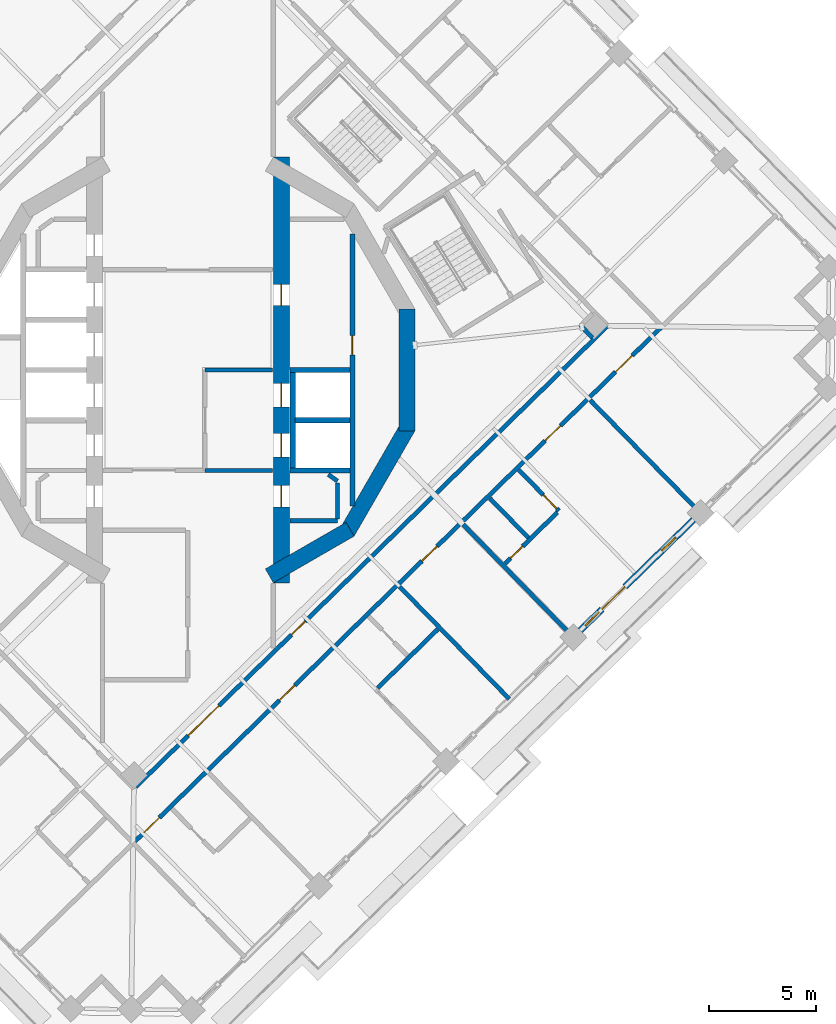
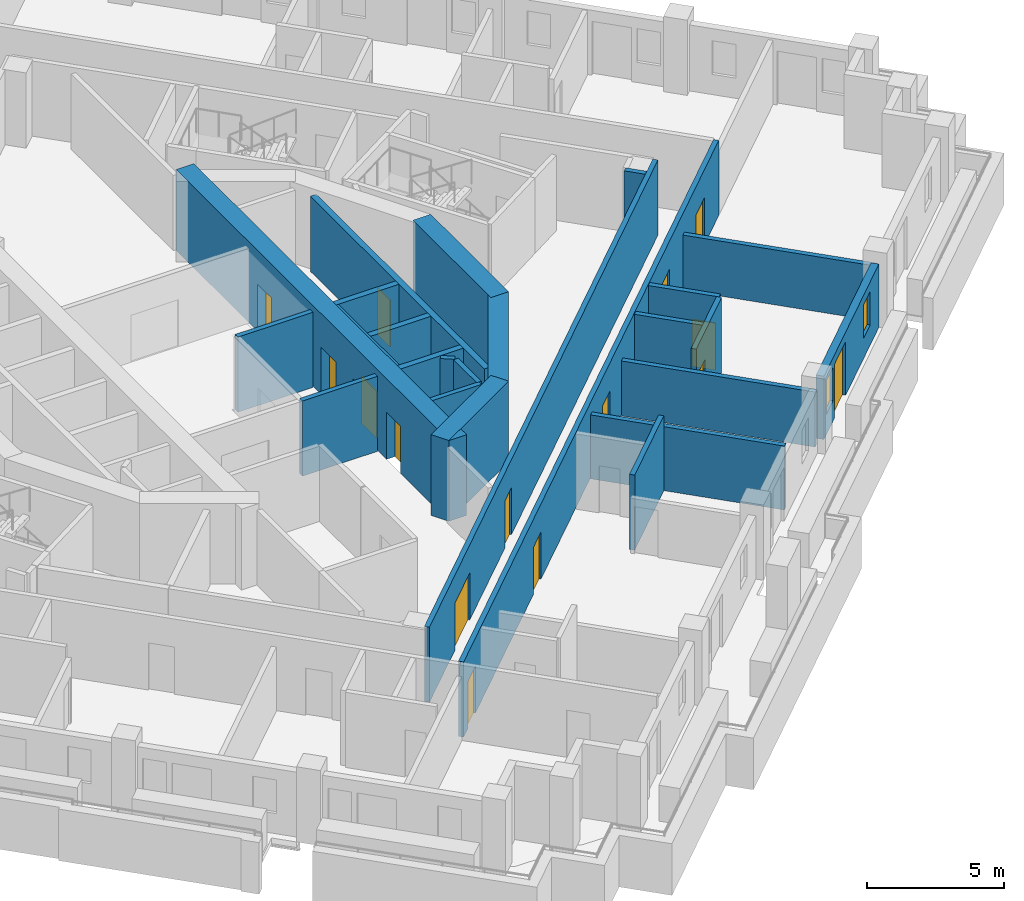
# One storey, part 7 of 19: 25 walls, 15 doors, 2 windows, 17 openings.
"""IFC4 building model written with IfcOpenShell, lengths in metres."""

from ifc_helpers import new_model, si_unit, direction, frame, frame_2d, origin, place, context, subcontext, project, spatial, rectangle, extrude, material, layer, layer_set, type_object, element, fill, save


model = new_model("IFC4")

# Units and contexts
model_context = context("Model", 3, precision=1e-05, world=origin(), true_north=direction((0.0, 1.0)))
body_context = subcontext(model_context, "Body", "Model", "MODEL_VIEW")
ifc_project = project(units=[si_unit("LENGTHUNIT", "METRE"), si_unit("AREAUNIT", "SQUARE_METRE"), si_unit("VOLUMEUNIT", "CUBIC_METRE"), si_unit("PLANEANGLEUNIT", "RADIAN"), si_unit("MASSUNIT", "GRAM", prefix="KILO")], contexts=[model_context])

# Site, building, storey
site_placement = place(None, origin())
site = spatial("IfcSite", under=ifc_project, at=site_placement, CompositionType="ELEMENT")
building_placement = place(site_placement, origin())
building = spatial("IfcBuilding", under=site, at=building_placement, Name="Cantera Rosa Tower", CompositionType="ELEMENT")
storey_placement = place(building_placement, frame((0.0, 0.0, 216.199951171875)))
storey = spatial("IfcBuildingStorey", under=building, at=storey_placement, Name="L46", CompositionType="ELEMENT", Elevation=216.199951171875)

# Wall, openings, doors
ifc_material_1 = material(Name="Gypsum board partition")
ifc_layer_1 = layer(ifc_material_1, 0.199951171875)
ifc_layer_set_1 = layer_set([ifc_layer_1], Name="CORRIDOR WALL 200 H3350")
wall_type_1 = type_object("IfcWallType", Name="CORRIDOR WALL 200 H3350", PredefinedType="PARTITIONING", material=ifc_layer_set_1)
wall_1_placement = place(storey_placement, frame((-2.469970703125, -22.0556640625, 0.0), z_axis=(0.0, 0.0, 1.0), x_axis=(0.715286619748, 0.698831203946, 0.0)))
wall_1 = element("IfcWall", 1, at=wall_1_placement, inside=storey, type_object=wall_type_1, Name="CORRIDOR WALL L46-058", PredefinedType="PARTITIONING", context=body_context, shape_type="SweptSolid", body=[
    extrude(rectangle(XDim=34.47998046875, YDim=0.199951171875, at=frame_2d((17.239990234375, 0.0))), origin(), (0.0, 0.0, 1.0), 3.35009765625),
])
opening_1_placement = place(wall_1_placement, frame((26.824951171875, 0.0, 0.0)))
opening_1 = element("IfcOpeningElement", 2, at=opening_1_placement, cuts=wall_1, Name="Opening L46-046", PredefinedType="OPENING", context=body_context, shape_type="SweptSolid", body=[
    extrude(rectangle(XDim=1.0, YDim=2.10009765625, at=frame_2d((0.5, 1.050048828125))), frame((0.0, 0.10986328125, 0.0), z_axis=(0.0, -1.0, 0.0), x_axis=(1.0, 0.0, 0.0)), (0.0, 0.0, 1.0), 0.219970703125),
])
opening_2_placement = place(wall_1_placement, frame((9.43994140625, 0.0, 0.0)))
opening_2 = element("IfcOpeningElement", 3, at=opening_2_placement, cuts=wall_1, Name="Opening L46-049", PredefinedType="OPENING", context=body_context, shape_type="SweptSolid", body=[
    extrude(rectangle(XDim=1.0, YDim=2.10009765625, at=frame_2d((0.5, 1.050048828125))), frame((0.0, 0.10986328125, 0.0), z_axis=(0.0, -1.0, 0.0), x_axis=(1.0, 0.0, 0.0)), (0.0, 0.0, 1.0), 0.219970703125),
])
opening_3_placement = place(wall_1_placement, frame((18.760009765625, 0.0, 0.0)))
opening_3 = element("IfcOpeningElement", 4, at=opening_3_placement, cuts=wall_1, Name="Opening L46-052", PredefinedType="OPENING", context=body_context, shape_type="SweptSolid", body=[
    extrude(rectangle(XDim=1.0, YDim=2.10009765625, at=frame_2d((0.5, 1.050048828125))), frame((0.0, 0.10986328125, 0.0), z_axis=(0.0, -1.0, 0.0), x_axis=(1.0, 0.0, 0.0)), (0.0, 0.0, 1.0), 0.219970703125),
])
opening_4_placement = place(wall_1_placement, frame((0.590087890625, 0.0, 0.0)))
opening_4 = element("IfcOpeningElement", 5, at=opening_4_placement, cuts=wall_1, Name="Opening L46-053", PredefinedType="OPENING", context=body_context, shape_type="SweptSolid", body=[
    extrude(rectangle(XDim=1.0, YDim=2.10009765625, at=frame_2d((0.5, 1.050048828125))), frame((0.0, 0.10986328125, 0.0), z_axis=(0.0, -1.0, 0.0), x_axis=(1.0, 0.0, 0.0)), (0.0, 0.0, 1.0), 0.219970703125),
])
opening_5_placement = place(wall_1_placement, frame((31.429931640625, 0.0, 0.0)))
opening_5 = element("IfcOpeningElement", 6, at=opening_5_placement, cuts=wall_1, Name="Opening L46-056", PredefinedType="OPENING", context=body_context, shape_type="SweptSolid", body=[
    extrude(rectangle(XDim=1.10009765625, YDim=2.10009765625, at=frame_2d((0.550048828125, 1.050048828125))), frame((0.0, 0.10986328125, 0.0), z_axis=(0.0, -1.0, 0.0), x_axis=(1.0, 0.0, 0.0)), (0.0, 0.0, 1.0), 0.219970703125),
])
ifc_material_2 = material(Name="Timber door leaf", Category="wood")
door_type_1 = type_object("IfcDoorType", Name="ENTRANCE DOOR 1000x2100", OperationType="NOTDEFINED", PredefinedType="DOOR", material=ifc_material_2)
door_1_placement = place(opening_1_placement, origin())
door_1 = element("IfcDoor", 7, at=door_1_placement, inside=storey, type_object=door_type_1, Name="DOOR L46-046", OperationType="NOTDEFINED", OverallHeight=2.10009765625, OverallWidth=1.0, PredefinedType="DOOR", context=body_context, shape_type="SweptSolid", body=[
    extrude(rectangle(XDim=1.0, YDim=2.10009765625, at=frame_2d((0.5, 1.050048828125))), frame((0.0, 0.02490234375, 0.0), z_axis=(0.0, -1.0, 0.0), x_axis=(1.0, 0.0, 0.0)), (0.0, 0.0, 1.0), 0.050048828125),
])
fill(opening_1, door_1)
door_2_placement = place(opening_2_placement, origin())
door_2 = element("IfcDoor", 8, at=door_2_placement, inside=storey, type_object=door_type_1, Name="DOOR L46-049", OperationType="NOTDEFINED", OverallHeight=2.10009765625, OverallWidth=1.0, PredefinedType="DOOR", context=body_context, shape_type="SweptSolid", body=[
    extrude(rectangle(XDim=1.0, YDim=2.10009765625, at=frame_2d((0.5, 1.050048828125))), frame((0.0, 0.02490234375, 0.0), z_axis=(0.0, -1.0, 0.0), x_axis=(1.0, 0.0, 0.0)), (0.0, 0.0, 1.0), 0.050048828125),
])
fill(opening_2, door_2)
door_3_placement = place(opening_4_placement, origin())
door_3 = element("IfcDoor", 9, at=door_3_placement, inside=storey, type_object=door_type_1, Name="DOOR L46-053", OperationType="NOTDEFINED", OverallHeight=2.10009765625, OverallWidth=1.0, PredefinedType="DOOR", context=body_context, shape_type="SweptSolid", body=[
    extrude(rectangle(XDim=1.0, YDim=2.10009765625, at=frame_2d((0.5, 1.050048828125))), frame((0.0, 0.02490234375, 0.0), z_axis=(0.0, -1.0, 0.0), x_axis=(1.0, 0.0, 0.0)), (0.0, 0.0, 1.0), 0.050048828125),
])
fill(opening_4, door_3)
ifc_material_3 = material(Name="Timber door leaf", Category="wood")
door_type_2 = type_object("IfcDoorType", Name="ROOM DOOR 1000x2100", OperationType="NOTDEFINED", PredefinedType="DOOR", material=ifc_material_3)
door_4_placement = place(opening_3_placement, origin())
door_4 = element("IfcDoor", 10, at=door_4_placement, inside=storey, type_object=door_type_2, Name="DOOR L46-052", OperationType="NOTDEFINED", OverallHeight=2.10009765625, OverallWidth=1.0, PredefinedType="DOOR", context=body_context, shape_type="SweptSolid", body=[
    extrude(rectangle(XDim=1.0, YDim=2.10009765625, at=frame_2d((0.5, 1.050048828125))), frame((0.0, 0.02490234375, 0.0), z_axis=(0.0, -1.0, 0.0), x_axis=(1.0, 0.0, 0.0)), (0.0, 0.0, 1.0), 0.050048828125),
])
fill(opening_3, door_4)
ifc_material_4 = material(Name="Timber door leaf", Category="wood")
door_type_3 = type_object("IfcDoorType", Name="ROOM DOOR 1100x2100", OperationType="NOTDEFINED", PredefinedType="DOOR", material=ifc_material_4)
door_5_placement = place(opening_5_placement, origin())
door_5 = element("IfcDoor", 11, at=door_5_placement, inside=storey, type_object=door_type_3, Name="DOOR L46-056", OperationType="NOTDEFINED", OverallHeight=2.10009765625, OverallWidth=1.10009765625, PredefinedType="DOOR", context=body_context, shape_type="SweptSolid", body=[
    extrude(rectangle(XDim=1.10009765625, YDim=2.10009765625, at=frame_2d((0.550048828125, 1.050048828125))), frame((0.0, 0.02490234375, 0.0), z_axis=(0.0, -1.0, 0.0), x_axis=(1.0, 0.0, 0.0)), (0.0, 0.0, 1.0), 0.050048828125),
])
fill(opening_5, door_5)

wall_2_placement = place(storey_placement, frame((-2.4404296875, -19.51025390625, 0.0), z_axis=(0.0, 0.0, 1.0), x_axis=(0.715289138653, 0.698828625719, 0.0)))
wall_2 = element("IfcWall", 12, at=wall_2_placement, inside=storey, type_object=wall_type_1, Name="CORRIDOR WALL L46-059", PredefinedType="PARTITIONING", context=body_context, shape_type="SweptSolid", body=[
    extrude(rectangle(XDim=30.880126953125, YDim=0.199951171875, at=frame_2d((15.43994140625, 0.0))), origin(), (0.0, 0.0, 1.0), 3.35009765625),
])
opening_6_placement = place(wall_2_placement, frame((10.1845703125, 0.0, 0.0)))
opening_6 = element("IfcOpeningElement", 13, at=opening_6_placement, cuts=wall_2, Name="Opening L46-011", PredefinedType="OPENING", context=body_context, shape_type="SweptSolid", body=[
    extrude(rectangle(XDim=0.89990234375, YDim=2.10009765625, at=frame_2d((0.449951171875, 1.050048828125))), frame((0.0, 0.10986328125, 0.0), z_axis=(0.0, -1.0, 0.0), x_axis=(1.0, 0.0, 0.0)), (0.0, 0.0, 1.0), 0.219970703125),
])
opening_7_placement = place(wall_2_placement, frame((3.44189453125, 0.0, 0.0)))
opening_7 = element("IfcOpeningElement", 14, at=opening_7_placement, cuts=wall_2, Name="Opening L46-014", PredefinedType="OPENING", context=body_context, shape_type="SweptSolid", body=[
    extrude(rectangle(XDim=2.0, YDim=2.10009765625, at=frame_2d((1.0, 1.050048828125))), frame((0.0, 0.10986328125, 0.0), z_axis=(0.0, -1.0, 0.0), x_axis=(1.0, 0.0, 0.0)), (0.0, 0.0, 1.0), 0.219970703125),
])
ifc_material_5 = material(Name="Steel S355J2 (EN 10025-2)", Category="steel")
door_type_4 = type_object("IfcDoorType", Name="LOBBY SCREEN DOOR 2000x2100", OperationType="NOTDEFINED", PredefinedType="DOOR", material=ifc_material_5)
door_6_placement = place(opening_7_placement, origin())
door_6 = element("IfcDoor", 15, at=door_6_placement, inside=storey, type_object=door_type_4, Name="DOOR L46-014", OperationType="NOTDEFINED", OverallHeight=2.10009765625, OverallWidth=2.0, PredefinedType="DOOR", context=body_context, shape_type="SweptSolid", body=[
    extrude(rectangle(XDim=2.0, YDim=2.10009765625, at=frame_2d((1.0, 1.050048828125))), frame((0.0, 0.02490234375, 0.0), z_axis=(0.0, -1.0, 0.0), x_axis=(1.0, 0.0, 0.0)), (0.0, 0.0, 1.0), 0.050048828125),
])
fill(opening_7, door_6)
ifc_material_6 = material(Name="Timber door leaf", Category="wood")
door_type_5 = type_object("IfcDoorType", Name="SERVICE DOOR 900x2100", OperationType="NOTDEFINED", PredefinedType="DOOR", material=ifc_material_6)
door_7_placement = place(opening_6_placement, origin())
door_7 = element("IfcDoor", 16, at=door_7_placement, inside=storey, type_object=door_type_5, Name="DOOR L46-011", OperationType="NOTDEFINED", OverallHeight=2.10009765625, OverallWidth=0.89990234375, PredefinedType="DOOR", context=body_context, shape_type="SweptSolid", body=[
    extrude(rectangle(XDim=0.89990234375, YDim=2.10009765625, at=frame_2d((0.449951171875, 1.050048828125))), frame((0.0, 0.02490234375, 0.0), z_axis=(0.0, -1.0, 0.0), x_axis=(1.0, 0.0, 0.0)), (0.0, 0.0, 1.0), 0.050048828125),
])
fill(opening_6, door_7)

# Wall, openings, windows, door
ifc_material_7 = material(Name="Hollow clay masonry with cantera stone cladding", Category="masonry")
ifc_layer_2 = layer(ifc_material_7, 0.300048828125)
ifc_layer_set_2 = layer_set([ifc_layer_2], Name="EW-LOGGIA 300 H2820")
wall_type_2 = type_object("IfcWallType", Name="EW-LOGGIA 300 H2820", PredefinedType="SOLIDWALL", material=ifc_layer_set_2)
wall_3_placement = place(storey_placement, frame((18.357177734375, -12.19287109375, 0.0), z_axis=(0.0, 0.0, 1.0), x_axis=(0.715300826176, 0.698816662703, 0.0)))
wall_3 = element("IfcWall", 17, at=wall_3_placement, inside=storey, type_object=wall_type_2, Name="EN-L46-W24", PredefinedType="SOLIDWALL", context=body_context, shape_type="SweptSolid", body=[
    extrude(rectangle(XDim=7.420166015625, YDim=0.300048828125, at=frame_2d((3.7099609375, 0.0))), origin(), (0.0, 0.0, 1.0), 2.820068359375),
])
opening_8_placement = place(wall_3_placement, frame((0.330078125, 0.0, 0.89990234375)))
opening_8 = element("IfcOpeningElement", 18, at=opening_8_placement, cuts=wall_3, Name="Opening L46-W46", PredefinedType="OPENING", context=body_context, shape_type="SweptSolid", body=[
    extrude(rectangle(XDim=0.89990234375, YDim=1.5, at=frame_2d((0.449951171875, 0.75))), frame((0.0, 0.159912109375, 0.0), z_axis=(0.0, -1.0, 0.0), x_axis=(1.0, 0.0, 0.0)), (0.0, 0.0, 1.0), 0.320068359375),
])
opening_9_placement = place(wall_3_placement, frame((1.429931640625, 0.0, 0.0)))
opening_9 = element("IfcOpeningElement", 19, at=opening_9_placement, cuts=wall_3, Name="Opening L46-TD47", PredefinedType="OPENING", context=body_context, shape_type="SweptSolid", body=[
    extrude(rectangle(XDim=1.5, YDim=2.39990234375, at=frame_2d((0.75, 1.199951171875))), frame((0.0, 0.159912109375, 0.0), z_axis=(0.0, -1.0, 0.0), x_axis=(1.0, 0.0, 0.0)), (0.0, 0.0, 1.0), 0.320068359375),
])
opening_10_placement = place(wall_3_placement, frame((5.340087890625, 0.0, 0.89990234375)))
opening_10 = element("IfcOpeningElement", 20, at=opening_10_placement, cuts=wall_3, Name="Opening L46-W48", PredefinedType="OPENING", context=body_context, shape_type="SweptSolid", body=[
    extrude(rectangle(XDim=0.89990234375, YDim=1.5, at=frame_2d((0.449951171875, 0.75))), frame((0.0, 0.159912109375, 0.0), z_axis=(0.0, -1.0, 0.0), x_axis=(1.0, 0.0, 0.0)), (0.0, 0.0, 1.0), 0.320068359375),
])
ifc_material_8 = material(Name="Aluminium frame with clear glass", Category="aluminium")
window_type = type_object("IfcWindowType", Name="Residential window 900x1500", PartitioningType="SINGLE_PANEL", PredefinedType="WINDOW", material=ifc_material_8)
window_1_placement = place(opening_8_placement, origin())
window_1 = element("IfcWindow", 21, at=window_1_placement, inside=storey, type_object=window_type, Name="WINDOW L46-W46", OverallHeight=1.5, OverallWidth=0.89990234375, PartitioningType="SINGLE_PANEL", PredefinedType="WINDOW", context=body_context, shape_type="SweptSolid", body=[
    extrude(rectangle(XDim=0.89990234375, YDim=1.5, at=frame_2d((0.449951171875, 0.75))), frame((0.0, 0.030029296875, 0.0), z_axis=(0.0, -1.0, 0.0), x_axis=(1.0, 0.0, 0.0)), (0.0, 0.0, 1.0), 0.06005859375),
])
fill(opening_8, window_1)
window_2_placement = place(opening_10_placement, origin())
window_2 = element("IfcWindow", 22, at=window_2_placement, inside=storey, type_object=window_type, Name="WINDOW L46-W48", OverallHeight=1.5, OverallWidth=0.89990234375, PartitioningType="SINGLE_PANEL", PredefinedType="WINDOW", context=body_context, shape_type="SweptSolid", body=[
    extrude(rectangle(XDim=0.89990234375, YDim=1.5, at=frame_2d((0.449951171875, 0.75))), frame((0.0, 0.030029296875, 0.0), z_axis=(0.0, -1.0, 0.0), x_axis=(1.0, 0.0, 0.0)), (0.0, 0.0, 1.0), 0.06005859375),
])
fill(opening_10, window_2)
ifc_material_9 = material(Name="Aluminium frame with clear glass", Category="aluminium")
door_type_6 = type_object("IfcDoorType", Name="TD-R 1500x2400", OperationType="NOTDEFINED", PredefinedType="DOOR", material=ifc_material_9)
door_8_placement = place(opening_9_placement, origin())
door_8 = element("IfcDoor", 23, at=door_8_placement, inside=storey, type_object=door_type_6, Name="LOGGIA DOOR L46-TD47", OperationType="SLIDING_TO_LEFT", OverallHeight=2.39990234375, OverallWidth=1.5, PredefinedType="DOOR", context=body_context, shape_type="SweptSolid", body=[
    extrude(rectangle(XDim=1.5, YDim=2.39990234375, at=frame_2d((0.75, 1.199951171875))), frame((0.0, 0.02490234375, 0.0), z_axis=(0.0, -1.0, 0.0), x_axis=(1.0, 0.0, 0.0)), (0.0, 0.0, 1.0), 0.050048828125),
])
fill(opening_9, door_8)

# Walls
ifc_material_10 = material(Name="Gypsum board partition")
ifc_layer_3 = layer(ifc_material_10, 0.199951171875)
ifc_layer_set_3 = layer_set([ifc_layer_3], Name="PARTITION 200 H3350")
wall_type_3 = type_object("IfcWallType", Name="PARTITION 200 H3350", PredefinedType="PARTITIONING", material=ifc_layer_set_3)
wall_4_placement = place(storey_placement, frame((6.572509765625, -4.888427734375, 0.0), z_axis=(0.0, 0.0, 1.0), x_axis=(0.808176867567, -0.588939853236, 0.0)))
element("IfcWall", 24, at=wall_4_placement, inside=storey, type_object=wall_type_3, Name="PARTITION L46-083", PredefinedType="PARTITIONING", context=body_context, shape_type="SweptSolid", body=[
    extrude(rectangle(XDim=0.529052734375, YDim=0.199951171875, at=frame_2d((0.2646484375, 0.0))), origin(), (0.0, 0.0, 1.0), 3.35009765625),
])
wall_5_placement = place(storey_placement, frame((7.0, -7.050048828125, 0.0), z_axis=(0.0, 0.0, 1.0), x_axis=(-1.0, 0.0, 0.0)))
element("IfcWall", 25, at=wall_5_placement, inside=storey, type_object=wall_type_3, Name="PARTITION L46-085", PredefinedType="PARTITIONING", context=body_context, shape_type="SweptSolid", body=[
    extrude(rectangle(XDim=2.219970703125, YDim=0.199951171875, at=frame_2d((1.10986328125, 0.0))), origin(), (0.0, 0.0, 1.0), 3.35009765625),
])
wall_6_placement = place(storey_placement, frame((7.0, -5.280029296875, 0.0), z_axis=(0.0, 0.0, 1.0), x_axis=(0.0, -1.0, 0.0)))
element("IfcWall", 26, at=wall_6_placement, inside=storey, type_object=wall_type_3, Name="PARTITION L46-086", PredefinedType="PARTITIONING", context=body_context, shape_type="SweptSolid", body=[
    extrude(rectangle(XDim=1.68994140625, YDim=0.199951171875, at=frame_2d((0.844970703125, 0.0))), origin(), (0.0, 0.0, 1.0), 3.35009765625),
])
wall_7_placement = place(storey_placement, frame((11.689453125, -12.136474609375, 0.0), z_axis=(0.0, 0.0, 1.0), x_axis=(-0.715279883124, -0.698838099132, 0.0)))
element("IfcWall", 27, at=wall_7_placement, inside=storey, type_object=wall_type_3, Name="PARTITION L46-099", PredefinedType="PARTITIONING", context=body_context, shape_type="SweptSolid", body=[
    extrude(rectangle(XDim=3.920166015625, YDim=0.199951171875, at=frame_2d((1.9599609375, 0.0))), origin(), (0.0, 0.0, 1.0), 3.35009765625),
])
wall_8_placement = place(storey_placement, frame((14.1298828125, -6.005615234375, 0.0), z_axis=(0.0, 0.0, 1.0), x_axis=(0.698826236875, -0.715291472517, 0.0)))
element("IfcWall", 28, at=wall_8_placement, inside=storey, type_object=wall_type_3, Name="PARTITION L46-109", PredefinedType="PARTITIONING", context=body_context, shape_type="SweptSolid", body=[
    extrude(rectangle(XDim=2.580078125, YDim=0.199951171875, at=frame_2d((1.2900390625, 0.0))), origin(), (0.0, 0.0, 1.0), 3.35009765625),
])

# Wall, opening, door
wall_9_placement = place(storey_placement, frame((15.48876953125, -4.677734375, 0.0), z_axis=(0.0, 0.0, 1.0), x_axis=(0.698860936735, -0.715257569765, 0.0)))
wall_9 = element("IfcWall", 29, at=wall_9_placement, inside=storey, type_object=wall_type_3, Name="PARTITION L46-113", PredefinedType="PARTITIONING", context=body_context, shape_type="SweptSolid", body=[
    extrude(rectangle(XDim=2.68017578125, YDim=0.199951171875, at=frame_2d((1.340087890625, 0.0))), origin(), (0.0, 0.0, 1.0), 3.35009765625),
])
opening_11_placement = place(wall_9_placement, frame((1.6298828125, 0.0, 0.0)))
opening_11 = element("IfcOpeningElement", 30, at=opening_11_placement, cuts=wall_9, Name="Opening L46-048", PredefinedType="OPENING", context=body_context, shape_type="SweptSolid", body=[
    extrude(rectangle(XDim=0.89990234375, YDim=2.10009765625, at=frame_2d((0.449951171875, 1.050048828125))), frame((0.0, 0.10986328125, 0.0), z_axis=(0.0, -1.0, 0.0), x_axis=(1.0, 0.0, 0.0)), (0.0, 0.0, 1.0), 0.219970703125),
])
ifc_material_11 = material(Name="Timber door leaf", Category="wood")
door_type_7 = type_object("IfcDoorType", Name="ROOM DOOR 900x2100", OperationType="NOTDEFINED", PredefinedType="DOOR", material=ifc_material_11)
door_9_placement = place(opening_11_placement, origin())
door_9 = element("IfcDoor", 31, at=door_9_placement, inside=storey, type_object=door_type_7, Name="DOOR L46-048", OperationType="NOTDEFINED", OverallHeight=2.10009765625, OverallWidth=0.89990234375, PredefinedType="DOOR", context=body_context, shape_type="SweptSolid", body=[
    extrude(rectangle(XDim=0.89990234375, YDim=2.10009765625, at=frame_2d((0.449951171875, 1.050048828125))), frame((0.0, 0.02490234375, 0.0), z_axis=(0.0, -1.0, 0.0), x_axis=(1.0, 0.0, 0.0)), (0.0, 0.0, 1.0), 0.050048828125),
])
fill(opening_11, door_9)

wall_10_placement = place(storey_placement, frame((17.290283203125, -6.66455078125, 0.0), z_axis=(0.0, 0.0, 1.0), x_axis=(-0.715314949275, -0.698802206167, 0.0)))
wall_10 = element("IfcWall", 32, at=wall_10_placement, inside=storey, type_object=wall_type_3, Name="PARTITION L46-117", PredefinedType="PARTITIONING", context=body_context, shape_type="SweptSolid", body=[
    extrude(rectangle(XDim=3.43017578125, YDim=0.199951171875, at=frame_2d((1.715087890625, 0.0))), origin(), (0.0, 0.0, 1.0), 3.35009765625),
])
opening_12_placement = place(wall_10_placement, frame((2.27490234375, 0.0, 0.0)))
opening_12 = element("IfcOpeningElement", 33, at=opening_12_placement, cuts=wall_10, Name="Opening L46-047", PredefinedType="OPENING", context=body_context, shape_type="SweptSolid", body=[
    extrude(rectangle(XDim=0.800048828125, YDim=2.10009765625, at=frame_2d((0.39990234375, 1.050048828125))), frame((0.0, 0.10986328125, 0.0), z_axis=(0.0, -1.0, 0.0), x_axis=(1.0, 0.0, 0.0)), (0.0, 0.0, 1.0), 0.219970703125),
])
ifc_material_12 = material(Name="Timber door leaf", Category="wood")
door_type_8 = type_object("IfcDoorType", Name="BATHROOM DOOR 800x2100", OperationType="NOTDEFINED", PredefinedType="DOOR", material=ifc_material_12)
door_10_placement = place(opening_12_placement, origin())
door_10 = element("IfcDoor", 34, at=door_10_placement, inside=storey, type_object=door_type_8, Name="DOOR L46-047", OperationType="NOTDEFINED", OverallHeight=2.10009765625, OverallWidth=0.800048828125, PredefinedType="DOOR", context=body_context, shape_type="SweptSolid", body=[
    extrude(rectangle(XDim=0.800048828125, YDim=2.10009765625, at=frame_2d((0.39990234375, 1.050048828125))), frame((0.0, 0.02490234375, 0.0), z_axis=(0.0, -1.0, 0.0), x_axis=(1.0, 0.0, 0.0)), (0.0, 0.0, 1.0), 0.050048828125),
])
fill(opening_12, door_10)

# Walls
wall_11_placement = place(storey_placement, frame((18.375, 2.08447265625, 0.0), z_axis=(0.0, 0.0, 1.0), x_axis=(0.698819420598, -0.715298131827, 0.0)))
element("IfcWall", 35, at=wall_11_placement, inside=storey, type_object=wall_type_3, Name="PARTITION L46-119", PredefinedType="PARTITIONING", context=body_context, shape_type="SweptSolid", body=[
    extrude(rectangle(XDim=0.800048828125, YDim=0.199951171875, at=frame_2d((0.39990234375, 0.0))), origin(), (0.0, 0.0, 1.0), 3.35009765625),
])
ifc_material_13 = material(Name="Gypsum board partition")
ifc_layer_4 = layer(ifc_material_13, 0.199951171875)
ifc_layer_set_4 = layer_set([ifc_layer_4], Name="PARTY WALL 200 H2450")
wall_type_4 = type_object("IfcWallType", Name="PARTY WALL 200 H2450", PredefinedType="PARTITIONING", material=ifc_layer_set_4)
wall_12_placement = place(storey_placement, frame((12.8779296875, -7.228515625, 0.0), z_axis=(0.0, 0.0, 1.0), x_axis=(0.698837952642, -0.715280026246, 0.0)))
element("IfcWall", 36, at=wall_12_placement, inside=storey, type_object=wall_type_4, Name="PARTY WALL L46-106", PredefinedType="PARTITIONING", context=body_context, shape_type="SweptSolid", body=[
    extrude(rectangle(XDim=7.35009765625, YDim=0.199951171875, at=frame_2d((3.675048828125, 0.0))), origin(), (0.0, 0.0, 1.0), 2.449951171875),
])
wall_13_placement = place(storey_placement, frame((18.8291015625, -1.414306640625, 0.0), z_axis=(0.0, 0.0, 1.0), x_axis=(0.698854556514, -0.71526380367, 0.0)))
element("IfcWall", 37, at=wall_13_placement, inside=storey, type_object=wall_type_4, Name="PARTY WALL L46-120", PredefinedType="PARTITIONING", context=body_context, shape_type="SweptSolid", body=[
    extrude(rectangle(XDim=7.349853515625, YDim=0.199951171875, at=frame_2d((3.6748046875, 0.0))), origin(), (0.0, 0.0, 1.0), 2.449951171875),
])
ifc_material_14 = material(Name="Gypsum board partition")
ifc_layer_5 = layer(ifc_material_14, 0.199951171875)
ifc_layer_set_5 = layer_set([ifc_layer_5], Name="PARTY WALL 200 H2850")
wall_type_5 = type_object("IfcWallType", Name="PARTY WALL 200 H2850", PredefinedType="PARTITIONING", material=ifc_layer_set_5)
wall_14_placement = place(storey_placement, frame((9.90234375, -10.135498046875, 0.0), z_axis=(0.0, 0.0, 1.0), x_axis=(0.698821349183, -0.715296247667, 0.0)))
element("IfcWall", 38, at=wall_14_placement, inside=storey, type_object=wall_type_5, Name="PARTY WALL L46-094", PredefinedType="PARTITIONING", context=body_context, shape_type="SweptSolid", body=[
    extrude(rectangle(XDim=7.35009765625, YDim=0.199951171875, at=frame_2d((3.675048828125, 0.0))), origin(), (0.0, 0.0, 1.0), 2.85009765625),
])
ifc_material_15 = material(Name="Concrete C60/75", Category="concrete")
ifc_layer_6 = layer(ifc_material_15, 0.75)
ifc_layer_set_6 = layer_set([ifc_layer_6], Name="RC CORE WALL 750 C60/75")
wall_type_6 = type_object("IfcWallType", Name="RC CORE WALL 750 C60/75", PredefinedType="SHEAR", material=ifc_layer_set_6)
wall_15_placement = place(storey_placement, frame((10.250244140625, 2.846923828125, 0.0), z_axis=(0.0, 0.0, 1.0), x_axis=(0.0, -1.0, 0.0)))
element("IfcWall", 39, at=wall_15_placement, inside=storey, type_object=wall_type_6, Name="CW-E3 L46", PredefinedType="SHEAR", context=body_context, shape_type="SweptSolid", body=[
    extrude(rectangle(XDim=5.69384765625, YDim=0.75, at=frame_2d((2.846923828125, 0.0))), origin(), (0.0, 0.0, 1.0), 3.60009765625),
])
wall_16_placement = place(storey_placement, frame((10.300537109375, -2.659423828125, 0.0), z_axis=(0.0, 0.0, 1.0), x_axis=(-0.500021842983, -0.866012792365, 0.0)))
element("IfcWall", 40, at=wall_16_placement, inside=storey, type_object=wall_type_6, Name="CW-E4 L46", PredefinedType="SHEAR", context=body_context, shape_type="SweptSolid", body=[
    extrude(rectangle(XDim=5.694091796875, YDim=0.75, at=frame_2d((2.84716796875, 0.0))), origin(), (0.0, 0.0, 1.0), 3.60009765625),
])
wall_17_placement = place(storey_placement, frame((7.590576171875, -7.453369140625, 0.0), z_axis=(0.0, 0.0, 1.0), x_axis=(-0.866013176292, -0.50002117804, 0.0)))
element("IfcWall", 41, at=wall_17_placement, inside=storey, type_object=wall_type_6, Name="CW-E5 L46", PredefinedType="SHEAR", context=body_context, shape_type="SweptSolid", body=[
    extrude(rectangle(XDim=4.362548828125, YDim=0.75, at=frame_2d((2.18115234375, 0.0))), origin(), (0.0, 0.0, 1.0), 3.60009765625),
])

# Wall, openings, doors
wall_18_placement = place(storey_placement, frame((4.375, -9.95947265625, 0.0), z_axis=(0.0, 0.0, 1.0), x_axis=(0.0, 1.0, 0.0)))
wall_18 = element("IfcWall", 42, at=wall_18_placement, inside=storey, type_object=wall_type_6, Name="CW-E6 L46", PredefinedType="SHEAR", context=body_context, shape_type="SweptSolid", body=[
    extrude(rectangle(XDim=19.9189453125, YDim=0.75, at=frame_2d((9.95947265625, 0.0))), origin(), (0.0, 0.0, 1.0), 3.60009765625),
])
opening_13_placement = place(wall_18_placement, frame((5.884521484375, 0.0, 0.0)))
opening_13 = element("IfcOpeningElement", 43, at=opening_13_placement, cuts=wall_18, Name="Opening LD-FF1-L46", PredefinedType="OPENING", context=body_context, shape_type="SweptSolid", body=[
    extrude(rectangle(XDim=1.10009765625, YDim=2.10009765625, at=frame_2d((0.550048828125, 1.050048828125))), frame((0.0, 0.385009765625, 0.0), z_axis=(0.0, -1.0, 0.0), x_axis=(1.0, 0.0, 0.0)), (0.0, 0.0, 1.0), 0.77001953125),
])
opening_14_placement = place(wall_18_placement, frame((8.234619140625, 0.0, 0.0)))
opening_14 = element("IfcOpeningElement", 44, at=opening_14_placement, cuts=wall_18, Name="Opening LD-FF2-L46", PredefinedType="OPENING", context=body_context, shape_type="SweptSolid", body=[
    extrude(rectangle(XDim=1.10009765625, YDim=2.10009765625, at=frame_2d((0.550048828125, 1.050048828125))), frame((0.0, 0.385009765625, 0.0), z_axis=(0.0, -1.0, 0.0), x_axis=(1.0, 0.0, 0.0)), (0.0, 0.0, 1.0), 0.77001953125),
])
opening_15_placement = place(wall_18_placement, frame((3.55078125, 0.0, 0.0)))
opening_15 = element("IfcOpeningElement", 45, at=opening_15_placement, cuts=wall_18, Name="Opening SD-L46-21", PredefinedType="OPENING", context=body_context, shape_type="SweptSolid", body=[
    extrude(rectangle(XDim=1.0, YDim=2.10009765625, at=frame_2d((0.5, 1.050048828125))), frame((0.0, 0.385009765625, 0.0), z_axis=(0.0, -1.0, 0.0), x_axis=(1.0, 0.0, 0.0)), (0.0, 0.0, 1.0), 0.77001953125),
])
opening_16_placement = place(wall_18_placement, frame((12.9658203125, 0.0, 0.0)))
opening_16 = element("IfcOpeningElement", 46, at=opening_16_placement, cuts=wall_18, Name="Opening SD-L46-22", PredefinedType="OPENING", context=body_context, shape_type="SweptSolid", body=[
    extrude(rectangle(XDim=1.0, YDim=2.10009765625, at=frame_2d((0.5, 1.050048828125))), frame((0.0, 0.385009765625, 0.0), z_axis=(0.0, -1.0, 0.0), x_axis=(1.0, 0.0, 0.0)), (0.0, 0.0, 1.0), 0.77001953125),
])
ifc_material_16 = material(Name="Steel S355J2 (EN 10025-2)", Category="steel")
door_type_9 = type_object("IfcDoorType", Name="LANDING DOOR 1100x2100", OperationType="NOTDEFINED", PredefinedType="DOOR", material=ifc_material_16)
door_11_placement = place(opening_13_placement, origin())
door_11 = element("IfcDoor", 47, at=door_11_placement, inside=storey, type_object=door_type_9, Name="LANDING DOOR FF1 L46", OperationType="SLIDING_TO_LEFT", OverallHeight=2.10009765625, OverallWidth=1.10009765625, PredefinedType="DOOR", context=body_context, shape_type="SweptSolid", body=[
    extrude(rectangle(XDim=1.10009765625, YDim=2.10009765625, at=frame_2d((0.550048828125, 1.050048828125))), frame((0.0, 0.02490234375, 0.0), z_axis=(0.0, -1.0, 0.0), x_axis=(1.0, 0.0, 0.0)), (0.0, 0.0, 1.0), 0.050048828125),
])
fill(opening_13, door_11)
door_12_placement = place(opening_14_placement, origin())
door_12 = element("IfcDoor", 48, at=door_12_placement, inside=storey, type_object=door_type_9, Name="LANDING DOOR FF2 L46", OperationType="SLIDING_TO_LEFT", OverallHeight=2.10009765625, OverallWidth=1.10009765625, PredefinedType="DOOR", context=body_context, shape_type="SweptSolid", body=[
    extrude(rectangle(XDim=1.10009765625, YDim=2.10009765625, at=frame_2d((0.550048828125, 1.050048828125))), frame((0.0, 0.02490234375, 0.0), z_axis=(0.0, -1.0, 0.0), x_axis=(1.0, 0.0, 0.0)), (0.0, 0.0, 1.0), 0.050048828125),
])
fill(opening_14, door_12)
ifc_material_17 = material(Name="Timber door leaf", Category="wood")
door_type_10 = type_object("IfcDoorType", Name="SERVICE DOOR 1000x2100", OperationType="NOTDEFINED", PredefinedType="DOOR", material=ifc_material_17)
door_13_placement = place(opening_15_placement, origin())
door_13 = element("IfcDoor", 49, at=door_13_placement, inside=storey, type_object=door_type_10, Name="DOOR L46-SD21", OperationType="NOTDEFINED", OverallHeight=2.10009765625, OverallWidth=1.0, PredefinedType="DOOR", context=body_context, shape_type="SweptSolid", body=[
    extrude(rectangle(XDim=1.0, YDim=2.10009765625, at=frame_2d((0.5, 1.050048828125))), frame((0.0, 0.02490234375, 0.0), z_axis=(0.0, -1.0, 0.0), x_axis=(1.0, 0.0, 0.0)), (0.0, 0.0, 1.0), 0.050048828125),
])
fill(opening_15, door_13)
door_14_placement = place(opening_16_placement, origin())
door_14 = element("IfcDoor", 50, at=door_14_placement, inside=storey, type_object=door_type_10, Name="DOOR L46-SD22", OperationType="NOTDEFINED", OverallHeight=2.10009765625, OverallWidth=1.0, PredefinedType="DOOR", context=body_context, shape_type="SweptSolid", body=[
    extrude(rectangle(XDim=1.0, YDim=2.10009765625, at=frame_2d((0.5, 1.050048828125))), frame((0.0, 0.02490234375, 0.0), z_axis=(0.0, -1.0, 0.0), x_axis=(1.0, 0.0, 0.0)), (0.0, 0.0, 1.0), 0.050048828125),
])
fill(opening_16, door_14)

# Walls
ifc_material_18 = material(Name="Masonry blockwork", Category="masonry")
ifc_layer_7 = layer(ifc_material_18, 0.25)
ifc_layer_set_7 = layer_set([ifc_layer_7], Name="SHAFT WALL 250 H3350")
wall_type_7 = type_object("IfcWallType", Name="SHAFT WALL 250 H3350", PredefinedType="SOLIDWALL", material=ifc_layer_set_7)
wall_19_placement = place(storey_placement, frame((4.780029296875, 0.0, 0.0), z_axis=(0.0, 0.0, 1.0), x_axis=(1.0, 0.0, 0.0)))
element("IfcWall", 51, at=wall_19_placement, inside=storey, type_object=wall_type_7, Name="SHAFT WALL L46-079", PredefinedType="SOLIDWALL", context=body_context, shape_type="SweptSolid", body=[
    extrude(rectangle(XDim=2.794921875, YDim=0.25, at=frame_2d((1.3974609375, 0.0))), origin(), (0.0, 0.0, 1.0), 3.35009765625),
])
wall_20_placement = place(storey_placement, frame((4.89990234375, -0.125, 0.0), z_axis=(0.0, 0.0, 1.0), x_axis=(0.0, -1.0, 0.0)))
element("IfcWall", 52, at=wall_20_placement, inside=storey, type_object=wall_type_7, Name="SHAFT WALL L46-081", PredefinedType="SOLIDWALL", context=body_context, shape_type="SweptSolid", body=[
    extrude(rectangle(XDim=4.449951171875, YDim=0.25, at=frame_2d((2.22509765625, 0.0))), origin(), (0.0, 0.0, 1.0), 3.35009765625),
])

# Wall, opening, door
wall_21_placement = place(storey_placement, frame((7.699951171875, -6.353515625, 0.0), z_axis=(0.0, 0.0, 1.0), x_axis=(0.0, 1.0, 0.0)))
wall_21 = element("IfcWall", 53, at=wall_21_placement, inside=storey, type_object=wall_type_7, Name="SHAFT WALL L46-088", PredefinedType="SOLIDWALL", context=body_context, shape_type="SweptSolid", body=[
    extrude(rectangle(XDim=12.70703125, YDim=0.25, at=frame_2d((6.353515625, 0.0))), origin(), (0.0, 0.0, 1.0), 3.35009765625),
])
opening_17_placement = place(wall_21_placement, frame((7.063720703125, 0.0, 0.0)))
opening_17 = element("IfcOpeningElement", 54, at=opening_17_placement, cuts=wall_21, Name="Opening L46-059", PredefinedType="OPENING", context=body_context, shape_type="SweptSolid", body=[
    extrude(rectangle(XDim=0.89990234375, YDim=2.10009765625, at=frame_2d((0.449951171875, 1.050048828125))), frame((0.0, 0.135009765625, 0.0), z_axis=(0.0, -1.0, 0.0), x_axis=(1.0, 0.0, 0.0)), (0.0, 0.0, 1.0), 0.27001953125),
])
door_15_placement = place(opening_17_placement, origin())
door_15 = element("IfcDoor", 55, at=door_15_placement, inside=storey, type_object=door_type_5, Name="RISER DOOR L46-059", OperationType="NOTDEFINED", OverallHeight=2.10009765625, OverallWidth=0.89990234375, PredefinedType="DOOR", context=body_context, shape_type="SweptSolid", body=[
    extrude(rectangle(XDim=0.89990234375, YDim=2.10009765625, at=frame_2d((0.449951171875, 1.050048828125))), frame((0.0, 0.02490234375, 0.0), z_axis=(0.0, -1.0, 0.0), x_axis=(1.0, 0.0, 0.0)), (0.0, 0.0, 1.0), 0.050048828125),
])
fill(opening_17, door_15)

# Walls
wall_22_placement = place(storey_placement, frame((7.574951171875, -4.699951171875, 0.0), z_axis=(0.0, 0.0, 1.0), x_axis=(-1.0, 0.0, 0.0)))
element("IfcWall", 56, at=wall_22_placement, inside=storey, type_object=wall_type_7, Name="SHAFT WALL L46-089", PredefinedType="SOLIDWALL", context=body_context, shape_type="SweptSolid", body=[
    extrude(rectangle(XDim=2.794921875, YDim=0.25, at=frame_2d((1.3974609375, 0.0))), origin(), (0.0, 0.0, 1.0), 3.35009765625),
])
wall_23_placement = place(storey_placement, frame((7.574951171875, -2.35009765625, 0.0), z_axis=(0.0, 0.0, 1.0), x_axis=(-1.0, 0.0, 0.0)))
element("IfcWall", 57, at=wall_23_placement, inside=storey, type_object=wall_type_7, Name="SHAFT WALL L46-090", PredefinedType="SOLIDWALL", context=body_context, shape_type="SweptSolid", body=[
    extrude(rectangle(XDim=2.56005859375, YDim=0.25, at=frame_2d((1.280029296875, 0.0))), origin(), (0.0, 0.0, 1.0), 3.35009765625),
])
ifc_material_19 = material(Name="Concrete C50/60", Category="concrete")
ifc_layer_8 = layer(ifc_material_19, 0.199951171875)
ifc_layer_set_8 = layer_set([ifc_layer_8], Name="STAIR WALL 200 H3350")
wall_type_8 = type_object("IfcWallType", Name="STAIR WALL 200 H3350", PredefinedType="SOLIDWALL", material=ifc_layer_set_8)
for number, where, z_axis, x_axis, name in (
    (58, (0.800048828125, 0.0, 0.0), (0.0, 0.0, 1.0), (1.0, 0.0, 0.0), "STAIR WALL L46-067"),
    (59, (3.969970703125, -4.699951171875, 0.0), (0.0, 0.0, 1.0), (-1.0, 0.0, 0.0), "STAIR WALL L46-075"),
):
    element("IfcWall", number, at=place(storey_placement, frame(where, z_axis=z_axis, x_axis=x_axis)), inside=storey, type_object=wall_type_8, Name=name, PredefinedType="SOLIDWALL", context=body_context, shape_type="SweptSolid", body=[
        extrude(rectangle(XDim=3.169921875, YDim=0.199951171875, at=frame_2d((1.5849609375, 0.0))), origin(), (0.0, 0.0, 1.0), 3.35009765625),
    ])

save(model, "model.ifc")
